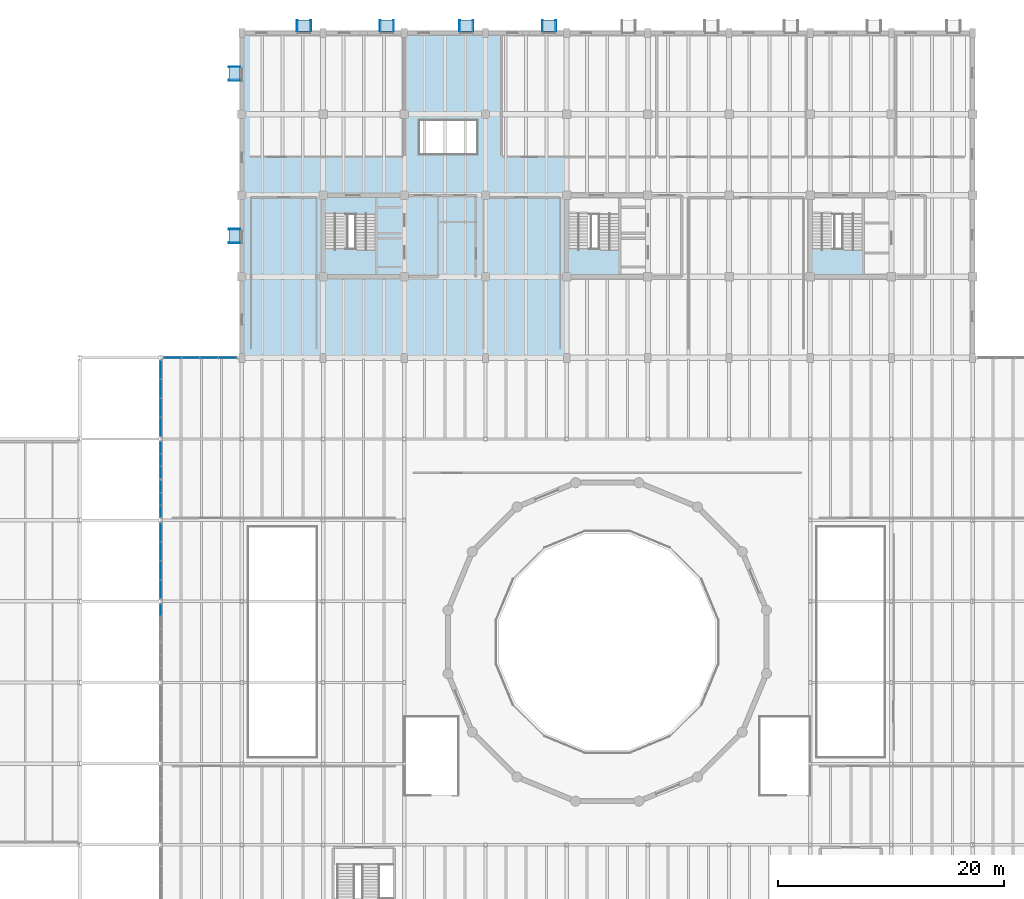
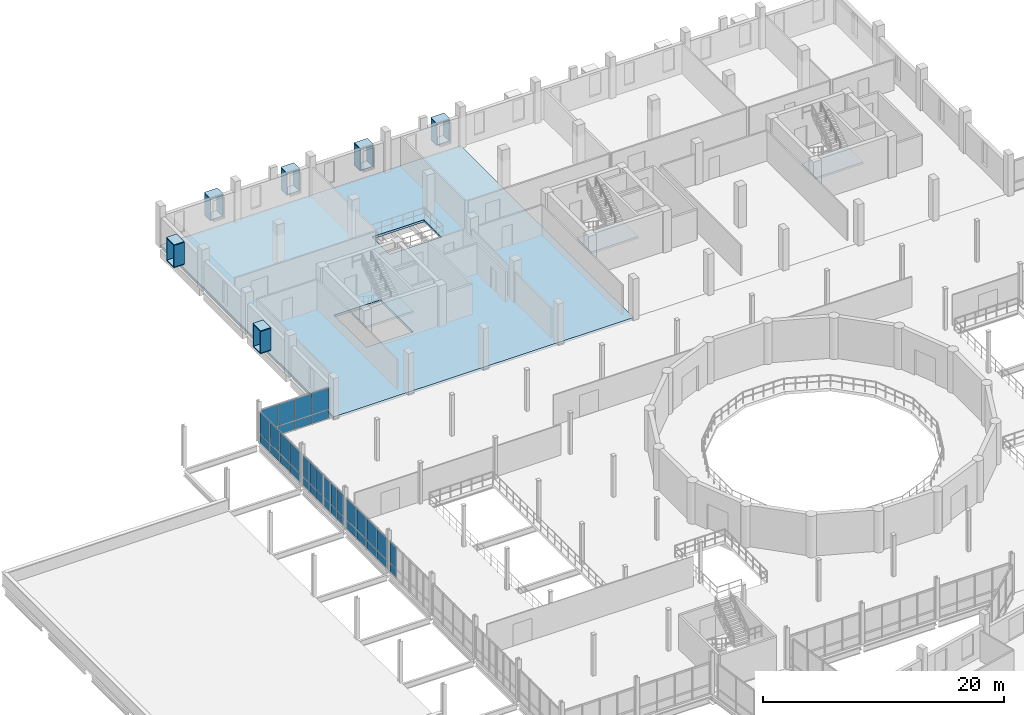
# One storey, part 48 of 72: 62 plates, 4 slabs, 9 elements without a shape of their own.
"""IFC4 building model written with IfcOpenShell, lengths in metres."""

from ifc_helpers import new_model, si_unit, direction, frame, frame_2d, origin, origin_2d, place, context, subcontext, project, spatial, polyline, rectangle, outline, extrude, material, layer, layer_set, type_object, element, aggregate, save


model = new_model("IFC4")

# Units and contexts
model_context = context("Model", 3, precision=1e-05, world=origin(), true_north=direction((0.0, 1.0)))
body_context = subcontext(model_context, "Body", "Model", "MODEL_VIEW")
ifc_project = project(units=[si_unit("LENGTHUNIT", "METRE"), si_unit("AREAUNIT", "SQUARE_METRE"), si_unit("VOLUMEUNIT", "CUBIC_METRE"), si_unit("PLANEANGLEUNIT", "RADIAN"), si_unit("MASSUNIT", "GRAM", prefix="KILO")], contexts=[model_context])

# Site, building, storey
site_placement = place(None, origin())
site = spatial("IfcSite", under=ifc_project, at=site_placement, CompositionType="ELEMENT")
building_placement = place(site_placement, origin())
building = spatial("IfcBuilding", under=site, at=building_placement, Name="Qiaolan Assembly House", CompositionType="ELEMENT")
storey_placement = place(building_placement, frame((0.0, 0.0, 10.199951171875)))
storey = spatial("IfcBuildingStorey", under=building, at=storey_placement, Name="L02", CompositionType="ELEMENT", Elevation=10.199951171875)

# Curtain wall, plates
ifc_material_1 = material(Name="Anodised bronze aluminium", Category="aluminium")
curtain_wall_type = type_object("IfcCurtainWallType", Name="CW-HALL-UPPER-480", PredefinedType="NOTDEFINED", material=ifc_material_1)
curtain_wall_1_placement = place(storey_placement, origin())
curtain_wall_1 = element("IfcCurtainWall", 1, at=curtain_wall_1_placement, inside=storey, type_object=curtain_wall_type, Name="CW-01 Hall West facade L02-3B", PredefinedType="NOTDEFINED")
ifc_material_2 = material(Name="Low-E double insulating glass", Category="glass")
ifc_layer_1 = layer(ifc_material_2, 0.031982421875)
ifc_layer_set_1 = layer_set([ifc_layer_1], Name="Low-E double insulating glass")
plate_type_1 = type_object("IfcPlateType", Name="CW-HALL-UPPER-480-PNL", PredefinedType="CURTAIN_PANEL", material=ifc_layer_set_1)
plate_1_placement = place(storey_placement, frame((28.800048828125, 63.514892578125, 0.06005859375), z_axis=(0.0, 0.0, 1.0), x_axis=(0.0, 1.0, 0.0)))
plate_1 = element("IfcPlate", 2, at=plate_1_placement, type_object=plate_type_1, Name="GL-02 glazing panel CW-HALL-W-L02-3B-5", PredefinedType="CURTAIN_PANEL", context=body_context, shape_type="SweptSolid", body=[
    extrude(rectangle(XDim=1.030029296875, YDim=0.031982421875, at=frame_2d((0.51513671875, 0.0))), origin(), (0.0, 0.0, 1.0), 0.860107421875),
])
plate_2_placement = place(storey_placement, frame((28.800048828125, 63.514892578125, 0.97998046875), z_axis=(0.0, 0.0, 1.0), x_axis=(0.0, 1.0, 0.0)))
plate_2 = element("IfcPlate", 3, at=plate_2_placement, type_object=plate_type_1, Name="GL-02 glazing panel CW-HALL-W-L02-3B-6", PredefinedType="CURTAIN_PANEL", context=body_context, shape_type="SweptSolid", body=[
    extrude(rectangle(XDim=1.030029296875, YDim=0.031982421875, at=frame_2d((0.51513671875, 0.0))), origin(), (0.0, 0.0, 1.0), 2.16015625),
])
aggregate(curtain_wall_1, [plate_1, plate_2])

curtain_wall_2_placement = place(storey_placement, origin())
curtain_wall_2 = element("IfcCurtainWall", 4, at=curtain_wall_2_placement, inside=storey, type_object=curtain_wall_type, Name="CW-01 Hall West facade L02-4", PredefinedType="NOTDEFINED")
plate_3_placement = place(storey_placement, frame((28.800048828125, 65.054931640625, 0.06005859375), z_axis=(0.0, 0.0, 1.0), x_axis=(0.0, 1.0, 0.0)))
plate_3 = element("IfcPlate", 5, at=plate_3_placement, type_object=plate_type_1, Name="GL-02 glazing panel CW-HALL-W-L02-4-1", PredefinedType="CURTAIN_PANEL", context=body_context, shape_type="SweptSolid", body=[
    extrude(rectangle(XDim=1.6201171875, YDim=0.031982421875, at=frame_2d((0.81005859375, 0.0))), origin(), (0.0, 0.0, 1.0), 0.860107421875),
])
plate_4_placement = place(storey_placement, frame((28.800048828125, 65.054931640625, 0.97998046875), z_axis=(0.0, 0.0, 1.0), x_axis=(0.0, 1.0, 0.0)))
plate_4 = element("IfcPlate", 6, at=plate_4_placement, type_object=plate_type_1, Name="GL-02 glazing panel CW-HALL-W-L02-4-2", PredefinedType="CURTAIN_PANEL", context=body_context, shape_type="SweptSolid", body=[
    extrude(rectangle(XDim=1.6201171875, YDim=0.031982421875, at=frame_2d((0.81005859375, 0.0))), origin(), (0.0, 0.0, 1.0), 2.16015625),
])
plate_5_placement = place(storey_placement, frame((28.800048828125, 66.7451171875, 0.06005859375), z_axis=(0.0, 0.0, 1.0), x_axis=(0.0, 1.0, 0.0)))
plate_5 = element("IfcPlate", 7, at=plate_5_placement, type_object=plate_type_1, Name="GL-02 glazing panel CW-HALL-W-L02-4-3", PredefinedType="CURTAIN_PANEL", context=body_context, shape_type="SweptSolid", body=[
    extrude(rectangle(XDim=1.619873046875, YDim=0.031982421875, at=frame_2d((0.81005859375, 0.0))), origin(), (0.0, 0.0, 1.0), 0.860107421875),
])
plate_6_placement = place(storey_placement, frame((28.800048828125, 66.7451171875, 0.97998046875), z_axis=(0.0, 0.0, 1.0), x_axis=(0.0, 1.0, 0.0)))
plate_6 = element("IfcPlate", 8, at=plate_6_placement, type_object=plate_type_1, Name="GL-02 glazing panel CW-HALL-W-L02-4-4", PredefinedType="CURTAIN_PANEL", context=body_context, shape_type="SweptSolid", body=[
    extrude(rectangle(XDim=1.619873046875, YDim=0.031982421875, at=frame_2d((0.81005859375, 0.0))), origin(), (0.0, 0.0, 1.0), 2.16015625),
])
plate_7_placement = place(storey_placement, frame((28.800048828125, 68.43505859375, 0.06005859375), z_axis=(0.0, 0.0, 1.0), x_axis=(0.0, 1.0, 0.0)))
plate_7 = element("IfcPlate", 9, at=plate_7_placement, type_object=plate_type_1, Name="GL-02 glazing panel CW-HALL-W-L02-4-5", PredefinedType="CURTAIN_PANEL", context=body_context, shape_type="SweptSolid", body=[
    extrude(rectangle(XDim=1.619873046875, YDim=0.031982421875, at=frame_2d((0.81005859375, 0.0))), origin(), (0.0, 0.0, 1.0), 0.860107421875),
])
plate_8_placement = place(storey_placement, frame((28.800048828125, 68.43505859375, 0.97998046875), z_axis=(0.0, 0.0, 1.0), x_axis=(0.0, 1.0, 0.0)))
plate_8 = element("IfcPlate", 10, at=plate_8_placement, type_object=plate_type_1, Name="GL-02 glazing panel CW-HALL-W-L02-4-6", PredefinedType="CURTAIN_PANEL", context=body_context, shape_type="SweptSolid", body=[
    extrude(rectangle(XDim=1.619873046875, YDim=0.031982421875, at=frame_2d((0.81005859375, 0.0))), origin(), (0.0, 0.0, 1.0), 2.16015625),
])
plate_9_placement = place(storey_placement, frame((28.800048828125, 70.125, 0.06005859375), z_axis=(0.0, 0.0, 1.0), x_axis=(0.0, 1.0, 0.0)))
plate_9 = element("IfcPlate", 11, at=plate_9_placement, type_object=plate_type_1, Name="GL-02 glazing panel CW-HALL-W-L02-4-7", PredefinedType="CURTAIN_PANEL", context=body_context, shape_type="SweptSolid", body=[
    extrude(rectangle(XDim=1.6201171875, YDim=0.031982421875, at=frame_2d((0.81005859375, 0.0))), origin(), (0.0, 0.0, 1.0), 0.860107421875),
])
plate_10_placement = place(storey_placement, frame((28.800048828125, 70.125, 0.97998046875), z_axis=(0.0, 0.0, 1.0), x_axis=(0.0, 1.0, 0.0)))
plate_10 = element("IfcPlate", 12, at=plate_10_placement, type_object=plate_type_1, Name="GL-02 glazing panel CW-HALL-W-L02-4-8", PredefinedType="CURTAIN_PANEL", context=body_context, shape_type="SweptSolid", body=[
    extrude(rectangle(XDim=1.6201171875, YDim=0.031982421875, at=frame_2d((0.81005859375, 0.0))), origin(), (0.0, 0.0, 1.0), 2.16015625),
])
aggregate(curtain_wall_2, [plate_3, plate_4, plate_5, plate_6, plate_7, plate_8, plate_9, plate_10])

curtain_wall_3_placement = place(storey_placement, origin())
curtain_wall_3 = element("IfcCurtainWall", 13, at=curtain_wall_3_placement, inside=storey, type_object=curtain_wall_type, Name="CW-01 Hall West facade L02-5A", PredefinedType="NOTDEFINED")
plate_11_placement = place(storey_placement, frame((28.800048828125, 72.2548828125, 0.06005859375), z_axis=(0.0, 0.0, 1.0), x_axis=(0.0, 1.0, 0.0)))
plate_11 = element("IfcPlate", 14, at=plate_11_placement, type_object=plate_type_1, Name="GL-02 glazing panel CW-HALL-W-L02-5A-1", PredefinedType="CURTAIN_PANEL", context=body_context, shape_type="SweptSolid", body=[
    extrude(rectangle(XDim=1.030029296875, YDim=0.031982421875, at=frame_2d((0.51513671875, 0.0))), origin(), (0.0, 0.0, 1.0), 0.860107421875),
])
plate_12_placement = place(storey_placement, frame((28.800048828125, 72.2548828125, 0.97998046875), z_axis=(0.0, 0.0, 1.0), x_axis=(0.0, 1.0, 0.0)))
plate_12 = element("IfcPlate", 15, at=plate_12_placement, type_object=plate_type_1, Name="GL-02 glazing panel CW-HALL-W-L02-5A-2", PredefinedType="CURTAIN_PANEL", context=body_context, shape_type="SweptSolid", body=[
    extrude(rectangle(XDim=1.030029296875, YDim=0.031982421875, at=frame_2d((0.51513671875, 0.0))), origin(), (0.0, 0.0, 1.0), 2.16015625),
])
plate_13_placement = place(storey_placement, frame((28.800048828125, 73.35498046875, 0.06005859375), z_axis=(0.0, 0.0, 1.0), x_axis=(0.0, 1.0, 0.0)))
plate_13 = element("IfcPlate", 16, at=plate_13_placement, type_object=plate_type_1, Name="GL-02 glazing panel CW-HALL-W-L02-5A-3", PredefinedType="CURTAIN_PANEL", context=body_context, shape_type="SweptSolid", body=[
    extrude(rectangle(XDim=1.030029296875, YDim=0.031982421875, at=frame_2d((0.51513671875, 0.0))), origin(), (0.0, 0.0, 1.0), 0.860107421875),
])
plate_14_placement = place(storey_placement, frame((28.800048828125, 73.35498046875, 0.97998046875), z_axis=(0.0, 0.0, 1.0), x_axis=(0.0, 1.0, 0.0)))
plate_14 = element("IfcPlate", 17, at=plate_14_placement, type_object=plate_type_1, Name="GL-02 glazing panel CW-HALL-W-L02-5A-4", PredefinedType="CURTAIN_PANEL", context=body_context, shape_type="SweptSolid", body=[
    extrude(rectangle(XDim=1.030029296875, YDim=0.031982421875, at=frame_2d((0.51513671875, 0.0))), origin(), (0.0, 0.0, 1.0), 2.16015625),
])
plate_15_placement = place(storey_placement, frame((28.800048828125, 74.455078125, 0.06005859375), z_axis=(0.0, 0.0, 1.0), x_axis=(0.0, 1.0, 0.0)))
plate_15 = element("IfcPlate", 18, at=plate_15_placement, type_object=plate_type_1, Name="GL-02 glazing panel CW-HALL-W-L02-5A-5", PredefinedType="CURTAIN_PANEL", context=body_context, shape_type="SweptSolid", body=[
    extrude(rectangle(XDim=1.030029296875, YDim=0.031982421875, at=frame_2d((0.51513671875, 0.0))), origin(), (0.0, 0.0, 1.0), 0.860107421875),
])
plate_16_placement = place(storey_placement, frame((28.800048828125, 74.455078125, 0.97998046875), z_axis=(0.0, 0.0, 1.0), x_axis=(0.0, 1.0, 0.0)))
plate_16 = element("IfcPlate", 19, at=plate_16_placement, type_object=plate_type_1, Name="GL-02 glazing panel CW-HALL-W-L02-5A-6", PredefinedType="CURTAIN_PANEL", context=body_context, shape_type="SweptSolid", body=[
    extrude(rectangle(XDim=1.030029296875, YDim=0.031982421875, at=frame_2d((0.51513671875, 0.0))), origin(), (0.0, 0.0, 1.0), 2.16015625),
])
aggregate(curtain_wall_3, [plate_11, plate_12, plate_13, plate_14, plate_15, plate_16])

curtain_wall_4_placement = place(storey_placement, origin())
curtain_wall_4 = element("IfcCurtainWall", 20, at=curtain_wall_4_placement, inside=storey, type_object=curtain_wall_type, Name="CW-01 Hall West facade L02-5B", PredefinedType="NOTDEFINED")
plate_17_placement = place(storey_placement, frame((28.800048828125, 75.715087890625, 0.06005859375), z_axis=(0.0, 0.0, 1.0), x_axis=(0.0, 1.0, 0.0)))
plate_17 = element("IfcPlate", 21, at=plate_17_placement, type_object=plate_type_1, Name="GL-02 glazing panel CW-HALL-W-L02-5B-1", PredefinedType="CURTAIN_PANEL", context=body_context, shape_type="SweptSolid", body=[
    extrude(rectangle(XDim=1.030029296875, YDim=0.031982421875, at=frame_2d((0.51513671875, 0.0))), origin(), (0.0, 0.0, 1.0), 0.860107421875),
])
plate_18_placement = place(storey_placement, frame((28.800048828125, 75.715087890625, 0.97998046875), z_axis=(0.0, 0.0, 1.0), x_axis=(0.0, 1.0, 0.0)))
plate_18 = element("IfcPlate", 22, at=plate_18_placement, type_object=plate_type_1, Name="GL-02 glazing panel CW-HALL-W-L02-5B-2", PredefinedType="CURTAIN_PANEL", context=body_context, shape_type="SweptSolid", body=[
    extrude(rectangle(XDim=1.030029296875, YDim=0.031982421875, at=frame_2d((0.51513671875, 0.0))), origin(), (0.0, 0.0, 1.0), 2.16015625),
])
plate_19_placement = place(storey_placement, frame((28.800048828125, 76.81494140625, 0.06005859375), z_axis=(0.0, 0.0, 1.0), x_axis=(0.0, 1.0, 0.0)))
plate_19 = element("IfcPlate", 23, at=plate_19_placement, type_object=plate_type_1, Name="GL-02 glazing panel CW-HALL-W-L02-5B-3", PredefinedType="CURTAIN_PANEL", context=body_context, shape_type="SweptSolid", body=[
    extrude(rectangle(XDim=1.030029296875, YDim=0.031982421875, at=frame_2d((0.51513671875, 0.0))), origin(), (0.0, 0.0, 1.0), 0.860107421875),
])
plate_20_placement = place(storey_placement, frame((28.800048828125, 76.81494140625, 0.97998046875), z_axis=(0.0, 0.0, 1.0), x_axis=(0.0, 1.0, 0.0)))
plate_20 = element("IfcPlate", 24, at=plate_20_placement, type_object=plate_type_1, Name="GL-02 glazing panel CW-HALL-W-L02-5B-4", PredefinedType="CURTAIN_PANEL", context=body_context, shape_type="SweptSolid", body=[
    extrude(rectangle(XDim=1.030029296875, YDim=0.031982421875, at=frame_2d((0.51513671875, 0.0))), origin(), (0.0, 0.0, 1.0), 2.16015625),
])
plate_21_placement = place(storey_placement, frame((28.800048828125, 77.9150390625, 0.06005859375), z_axis=(0.0, 0.0, 1.0), x_axis=(0.0, 1.0, 0.0)))
plate_21 = element("IfcPlate", 25, at=plate_21_placement, type_object=plate_type_1, Name="GL-02 glazing panel CW-HALL-W-L02-5B-5", PredefinedType="CURTAIN_PANEL", context=body_context, shape_type="SweptSolid", body=[
    extrude(rectangle(XDim=1.030029296875, YDim=0.031982421875, at=frame_2d((0.51513671875, 0.0))), origin(), (0.0, 0.0, 1.0), 0.860107421875),
])
plate_22_placement = place(storey_placement, frame((28.800048828125, 77.9150390625, 0.97998046875), z_axis=(0.0, 0.0, 1.0), x_axis=(0.0, 1.0, 0.0)))
plate_22 = element("IfcPlate", 26, at=plate_22_placement, type_object=plate_type_1, Name="GL-02 glazing panel CW-HALL-W-L02-5B-6", PredefinedType="CURTAIN_PANEL", context=body_context, shape_type="SweptSolid", body=[
    extrude(rectangle(XDim=1.030029296875, YDim=0.031982421875, at=frame_2d((0.51513671875, 0.0))), origin(), (0.0, 0.0, 1.0), 2.16015625),
])
aggregate(curtain_wall_4, [plate_17, plate_18, plate_19, plate_20, plate_21, plate_22])

curtain_wall_5_placement = place(storey_placement, origin())
curtain_wall_5 = element("IfcCurtainWall", 27, at=curtain_wall_5_placement, inside=storey, type_object=curtain_wall_type, Name="CW-01 Hall West facade L02-6", PredefinedType="NOTDEFINED")
plate_23_placement = place(storey_placement, frame((28.800048828125, 79.455078125, 0.06005859375), z_axis=(0.0, 0.0, 1.0), x_axis=(0.0, 1.0, 0.0)))
plate_23 = element("IfcPlate", 28, at=plate_23_placement, type_object=plate_type_1, Name="GL-02 glazing panel CW-HALL-W-L02-6-1", PredefinedType="CURTAIN_PANEL", context=body_context, shape_type="SweptSolid", body=[
    extrude(rectangle(XDim=1.619873046875, YDim=0.031982421875, at=frame_2d((0.81005859375, 0.0))), origin(), (0.0, 0.0, 1.0), 0.860107421875),
])
plate_24_placement = place(storey_placement, frame((28.800048828125, 79.455078125, 0.97998046875), z_axis=(0.0, 0.0, 1.0), x_axis=(0.0, 1.0, 0.0)))
plate_24 = element("IfcPlate", 29, at=plate_24_placement, type_object=plate_type_1, Name="GL-02 glazing panel CW-HALL-W-L02-6-2", PredefinedType="CURTAIN_PANEL", context=body_context, shape_type="SweptSolid", body=[
    extrude(rectangle(XDim=1.619873046875, YDim=0.031982421875, at=frame_2d((0.81005859375, 0.0))), origin(), (0.0, 0.0, 1.0), 2.16015625),
])
plate_25_placement = place(storey_placement, frame((28.800048828125, 81.14501953125, 0.06005859375), z_axis=(0.0, 0.0, 1.0), x_axis=(0.0, 1.0, 0.0)))
plate_25 = element("IfcPlate", 30, at=plate_25_placement, type_object=plate_type_1, Name="GL-02 glazing panel CW-HALL-W-L02-6-3", PredefinedType="CURTAIN_PANEL", context=body_context, shape_type="SweptSolid", body=[
    extrude(rectangle(XDim=1.619873046875, YDim=0.031982421875, at=frame_2d((0.81005859375, 0.0))), origin(), (0.0, 0.0, 1.0), 0.860107421875),
])
plate_26_placement = place(storey_placement, frame((28.800048828125, 81.14501953125, 0.97998046875), z_axis=(0.0, 0.0, 1.0), x_axis=(0.0, 1.0, 0.0)))
plate_26 = element("IfcPlate", 31, at=plate_26_placement, type_object=plate_type_1, Name="GL-02 glazing panel CW-HALL-W-L02-6-4", PredefinedType="CURTAIN_PANEL", context=body_context, shape_type="SweptSolid", body=[
    extrude(rectangle(XDim=1.619873046875, YDim=0.031982421875, at=frame_2d((0.81005859375, 0.0))), origin(), (0.0, 0.0, 1.0), 2.16015625),
])
plate_27_placement = place(storey_placement, frame((28.800048828125, 82.8349609375, 0.06005859375), z_axis=(0.0, 0.0, 1.0), x_axis=(0.0, 1.0, 0.0)))
plate_27 = element("IfcPlate", 32, at=plate_27_placement, type_object=plate_type_1, Name="GL-02 glazing panel CW-HALL-W-L02-6-5", PredefinedType="CURTAIN_PANEL", context=body_context, shape_type="SweptSolid", body=[
    extrude(rectangle(XDim=1.6201171875, YDim=0.031982421875, at=frame_2d((0.81005859375, 0.0))), origin(), (0.0, 0.0, 1.0), 0.860107421875),
])
plate_28_placement = place(storey_placement, frame((28.800048828125, 82.8349609375, 0.97998046875), z_axis=(0.0, 0.0, 1.0), x_axis=(0.0, 1.0, 0.0)))
plate_28 = element("IfcPlate", 33, at=plate_28_placement, type_object=plate_type_1, Name="GL-02 glazing panel CW-HALL-W-L02-6-6", PredefinedType="CURTAIN_PANEL", context=body_context, shape_type="SweptSolid", body=[
    extrude(rectangle(XDim=1.6201171875, YDim=0.031982421875, at=frame_2d((0.81005859375, 0.0))), origin(), (0.0, 0.0, 1.0), 2.16015625),
])
plate_29_placement = place(storey_placement, frame((28.800048828125, 84.52490234375, 0.06005859375), z_axis=(0.0, 0.0, 1.0), x_axis=(0.0, 1.0, 0.0)))
plate_29 = element("IfcPlate", 34, at=plate_29_placement, type_object=plate_type_1, Name="GL-02 glazing panel CW-HALL-W-L02-6-7", PredefinedType="CURTAIN_PANEL", context=body_context, shape_type="SweptSolid", body=[
    extrude(rectangle(XDim=1.6201171875, YDim=0.031982421875, at=frame_2d((0.81005859375, 0.0))), origin(), (0.0, 0.0, 1.0), 0.860107421875),
])
plate_30_placement = place(storey_placement, frame((28.800048828125, 84.52490234375, 0.97998046875), z_axis=(0.0, 0.0, 1.0), x_axis=(0.0, 1.0, 0.0)))
plate_30 = element("IfcPlate", 35, at=plate_30_placement, type_object=plate_type_1, Name="GL-02 glazing panel CW-HALL-W-L02-6-8", PredefinedType="CURTAIN_PANEL", context=body_context, shape_type="SweptSolid", body=[
    extrude(rectangle(XDim=1.6201171875, YDim=0.031982421875, at=frame_2d((0.81005859375, 0.0))), origin(), (0.0, 0.0, 1.0), 2.16015625),
])
aggregate(curtain_wall_5, [plate_23, plate_24, plate_25, plate_26, plate_27, plate_28, plate_29, plate_30])

curtain_wall_6_placement = place(storey_placement, origin())
curtain_wall_6 = element("IfcCurtainWall", 36, at=curtain_wall_6_placement, inside=storey, type_object=curtain_wall_type, Name="CW-02 Hall North-West link CW L02", PredefinedType="NOTDEFINED")
plate_31_placement = place(storey_placement, frame((35.485107421875, 86.39990234375, 0.06005859375), z_axis=(0.0, 0.0, 1.0), x_axis=(-1.0, 0.0, 0.0)))
plate_31 = element("IfcPlate", 37, at=plate_31_placement, type_object=plate_type_1, Name="GL-02 glazing panel CW-HALL-NWJ-L02-1", PredefinedType="CURTAIN_PANEL", context=body_context, shape_type="SweptSolid", body=[
    extrude(rectangle(XDim=1.55517578125, YDim=0.031982421875, at=frame_2d((0.777587890625, 0.0))), origin(), (0.0, 0.0, 1.0), 0.860107421875),
])
plate_32_placement = place(storey_placement, frame((35.485107421875, 86.39990234375, 0.97998046875), z_axis=(0.0, 0.0, 1.0), x_axis=(-1.0, 0.0, 0.0)))
plate_32 = element("IfcPlate", 38, at=plate_32_placement, type_object=plate_type_1, Name="GL-02 glazing panel CW-HALL-NWJ-L02-2", PredefinedType="CURTAIN_PANEL", context=body_context, shape_type="SweptSolid", body=[
    extrude(rectangle(XDim=1.55517578125, YDim=0.031982421875, at=frame_2d((0.777587890625, 0.0))), origin(), (0.0, 0.0, 1.0), 2.16015625),
])
plate_33_placement = place(storey_placement, frame((33.860107421875, 86.39990234375, 0.06005859375), z_axis=(0.0, 0.0, 1.0), x_axis=(-1.0, 0.0, 0.0)))
plate_33 = element("IfcPlate", 39, at=plate_33_placement, type_object=plate_type_1, Name="GL-02 glazing panel CW-HALL-NWJ-L02-3", PredefinedType="CURTAIN_PANEL", context=body_context, shape_type="SweptSolid", body=[
    extrude(rectangle(XDim=1.55517578125, YDim=0.031982421875, at=frame_2d((0.777587890625, 0.0))), origin(), (0.0, 0.0, 1.0), 0.860107421875),
])
plate_34_placement = place(storey_placement, frame((33.860107421875, 86.39990234375, 0.97998046875), z_axis=(0.0, 0.0, 1.0), x_axis=(-1.0, 0.0, 0.0)))
plate_34 = element("IfcPlate", 40, at=plate_34_placement, type_object=plate_type_1, Name="GL-02 glazing panel CW-HALL-NWJ-L02-4", PredefinedType="CURTAIN_PANEL", context=body_context, shape_type="SweptSolid", body=[
    extrude(rectangle(XDim=1.55517578125, YDim=0.031982421875, at=frame_2d((0.777587890625, 0.0))), origin(), (0.0, 0.0, 1.0), 2.16015625),
])
plate_35_placement = place(storey_placement, frame((32.235107421875, 86.39990234375, 0.06005859375), z_axis=(0.0, 0.0, 1.0), x_axis=(-1.0, 0.0, 0.0)))
plate_35 = element("IfcPlate", 41, at=plate_35_placement, type_object=plate_type_1, Name="GL-02 glazing panel CW-HALL-NWJ-L02-5", PredefinedType="CURTAIN_PANEL", context=body_context, shape_type="SweptSolid", body=[
    extrude(rectangle(XDim=1.55517578125, YDim=0.031982421875, at=frame_2d((0.777587890625, 0.0))), origin(), (0.0, 0.0, 1.0), 0.860107421875),
])
plate_36_placement = place(storey_placement, frame((32.235107421875, 86.39990234375, 0.97998046875), z_axis=(0.0, 0.0, 1.0), x_axis=(-1.0, 0.0, 0.0)))
plate_36 = element("IfcPlate", 42, at=plate_36_placement, type_object=plate_type_1, Name="GL-02 glazing panel CW-HALL-NWJ-L02-6", PredefinedType="CURTAIN_PANEL", context=body_context, shape_type="SweptSolid", body=[
    extrude(rectangle(XDim=1.55517578125, YDim=0.031982421875, at=frame_2d((0.777587890625, 0.0))), origin(), (0.0, 0.0, 1.0), 2.16015625),
])
plate_37_placement = place(storey_placement, frame((30.610107421875, 86.39990234375, 0.06005859375), z_axis=(0.0, 0.0, 1.0), x_axis=(-1.0, 0.0, 0.0)))
plate_37 = element("IfcPlate", 43, at=plate_37_placement, type_object=plate_type_1, Name="GL-02 glazing panel CW-HALL-NWJ-L02-7", PredefinedType="CURTAIN_PANEL", context=body_context, shape_type="SweptSolid", body=[
    extrude(rectangle(XDim=1.55517578125, YDim=0.031982421875, at=frame_2d((0.777587890625, 0.0))), origin(), (0.0, 0.0, 1.0), 0.860107421875),
])
plate_38_placement = place(storey_placement, frame((30.610107421875, 86.39990234375, 0.97998046875), z_axis=(0.0, 0.0, 1.0), x_axis=(-1.0, 0.0, 0.0)))
plate_38 = element("IfcPlate", 44, at=plate_38_placement, type_object=plate_type_1, Name="GL-02 glazing panel CW-HALL-NWJ-L02-8", PredefinedType="CURTAIN_PANEL", context=body_context, shape_type="SweptSolid", body=[
    extrude(rectangle(XDim=1.55517578125, YDim=0.031982421875, at=frame_2d((0.777587890625, 0.0))), origin(), (0.0, 0.0, 1.0), 2.16015625),
])
aggregate(curtain_wall_6, [plate_31, plate_32, plate_33, plate_34, plate_35, plate_36, plate_37, plate_38])

# Plates
ifc_material_3 = material(Name="Honed pale limestone", Category="masonry")
ifc_layer_2 = layer(ifc_material_3, 0.0849609375)
ifc_layer_set_2 = layer_set([ifc_layer_2], Name="Honed pale limestone")
plate_type_2 = type_object("IfcPlateType", Name="PLT-WINBOX-CHEEK", PredefinedType="SHEET", material=ifc_layer_set_2)
for number, where, z_axis, x_axis, name in (
    (45, (40.907470703125, 115.860107421875, 0.7001953125), (0.0, 0.0, 1.0), (1.0, 0.0, 0.0), "WB-02 projecting window-box left cheek NWN-L02-00-0"),
    (46, (42.092529296875, 115.860107421875, 0.7001953125), (0.0, 0.0, 1.0), (1.0, 0.0, 0.0), "WB-02 projecting window-box right cheek NWN-L02-00-0"),
    (47, (48.257568359375, 115.860107421875, 0.7001953125), (0.0, 0.0, 1.0), (1.0, 0.0, 0.0), "WB-02 projecting window-box left cheek NWN-L02-01-0"),
    (48, (49.4423828125, 115.860107421875, 0.7001953125), (0.0, 0.0, 1.0), (1.0, 0.0, 0.0), "WB-02 projecting window-box right cheek NWN-L02-01-0"),
    (49, (55.3076171875, 115.860107421875, 0.7001953125), (0.0, 0.0, 1.0), (1.0, 0.0, 0.0), "WB-02 projecting window-box left cheek NWN-L02-02-0"),
    (50, (56.492431640625, 115.860107421875, 0.7001953125), (0.0, 0.0, 1.0), (1.0, 0.0, 0.0), "WB-02 projecting window-box right cheek NWN-L02-02-0"),
    (51, (62.657470703125, 115.860107421875, 0.7001953125), (0.0, 0.0, 1.0), (1.0, 0.0, 0.0), "WB-02 projecting window-box left cheek NWN-L02-03-0"),
    (52, (63.842529296875, 115.860107421875, 0.7001953125), (0.0, 0.0, 1.0), (1.0, 0.0, 0.0), "WB-02 projecting window-box right cheek NWN-L02-03-0"),
):
    element("IfcPlate", number, at=place(storey_placement, frame(where, z_axis=z_axis, x_axis=x_axis)), inside=storey, type_object=plate_type_2, Name=name, PredefinedType="SHEET", context=body_context, shape_type="SweptSolid", body=[
        extrude(rectangle(XDim=0.0849609375, YDim=1.0, at=origin_2d()), origin(), (0.0, 0.0, 1.0), 2.139892578125),
    ])
for number, where, z_axis, x_axis, name in (
    (53, (35.340087890625, 96.607421875, 0.7001953125), (0.0, 0.0, 1.0), (1.0, 0.0, 0.0), "WB-02 projecting window-box left cheek NWW-L02-01"),
    (54, (35.340087890625, 97.79248046875, 0.7001953125), (0.0, 0.0, 1.0), (1.0, 0.0, 0.0), "WB-02 projecting window-box right cheek NWW-L02-01"),
    (55, (35.340087890625, 111.007568359375, 0.7001953125), (0.0, 0.0, 1.0), (1.0, 0.0, 0.0), "WB-02 projecting window-box left cheek NWW-L02-03"),
    (56, (35.340087890625, 112.1923828125, 0.7001953125), (0.0, 0.0, 1.0), (1.0, 0.0, 0.0), "WB-02 projecting window-box right cheek NWW-L02-03"),
):
    element("IfcPlate", number, at=place(storey_placement, frame(where, z_axis=z_axis, x_axis=x_axis)), inside=storey, type_object=plate_type_2, Name=name, PredefinedType="SHEET", context=body_context, shape_type="SweptSolid", body=[
        extrude(rectangle(XDim=1.0, YDim=0.0849609375, at=origin_2d()), origin(), (0.0, 0.0, 1.0), 2.18994140625),
    ])
ifc_layer_3 = layer(ifc_material_3, 0.080078125)
ifc_layer_set_3 = layer_set([ifc_layer_3], Name="Honed pale limestone")
plate_type_3 = type_object("IfcPlateType", Name="PLT-WINBOX-SURROUND", PredefinedType="SHEET", material=ifc_layer_set_3)
plate_39_placement = place(storey_placement, frame((0.0, 0.0, 0.6201171875)))
element("IfcPlate", 57, at=plate_39_placement, inside=storey, type_object=plate_type_3, Name="WB-01 projecting limestone window-box sill NWN-L02-00-0", PredefinedType="SHEET", context=body_context, shape_type="SweptSolid", body=[
    extrude(outline(polyline([(40.864990234375, 115.360107421875), (40.864990234375, 116.360107421875), (42.135009765625, 116.360107421875), (42.135009765625, 115.360107421875), (40.864990234375, 115.360107421875)])), origin(), (0.0, 0.0, 1.0), 0.079833984375),
])
plate_40_placement = place(storey_placement, frame((0.0, 0.0, 2.840087890625)))
element("IfcPlate", 58, at=plate_40_placement, inside=storey, type_object=plate_type_3, Name="WB-01 projecting limestone window-box hood NWN-L02-00-0", PredefinedType="SHEET", context=body_context, shape_type="SweptSolid", body=[
    extrude(outline(polyline([(40.864990234375, 115.360107421875), (40.864990234375, 116.360107421875), (42.135009765625, 116.360107421875), (42.135009765625, 115.360107421875), (40.864990234375, 115.360107421875)])), origin(), (0.0, 0.0, 1.0), 0.080078125),
])
plate_41_placement = place(storey_placement, frame((0.0, 0.0, 0.6201171875)))
element("IfcPlate", 59, at=plate_41_placement, inside=storey, type_object=plate_type_3, Name="WB-01 projecting limestone window-box sill NWN-L02-01-0", PredefinedType="SHEET", context=body_context, shape_type="SweptSolid", body=[
    extrude(outline(polyline([(48.215087890625, 115.360107421875), (48.215087890625, 116.360107421875), (49.485107421875, 116.360107421875), (49.485107421875, 115.360107421875), (48.215087890625, 115.360107421875)])), origin(), (0.0, 0.0, 1.0), 0.079833984375),
])
plate_42_placement = place(storey_placement, frame((0.0, 0.0, 2.840087890625)))
element("IfcPlate", 60, at=plate_42_placement, inside=storey, type_object=plate_type_3, Name="WB-01 projecting limestone window-box hood NWN-L02-01-0", PredefinedType="SHEET", context=body_context, shape_type="SweptSolid", body=[
    extrude(outline(polyline([(48.215087890625, 115.360107421875), (48.215087890625, 116.360107421875), (49.485107421875, 116.360107421875), (49.485107421875, 115.360107421875), (48.215087890625, 115.360107421875)])), origin(), (0.0, 0.0, 1.0), 0.080078125),
])
plate_43_placement = place(storey_placement, frame((0.0, 0.0, 0.6201171875)))
element("IfcPlate", 61, at=plate_43_placement, inside=storey, type_object=plate_type_3, Name="WB-01 projecting limestone window-box sill NWN-L02-02-0", PredefinedType="SHEET", context=body_context, shape_type="SweptSolid", body=[
    extrude(outline(polyline([(55.264892578125, 115.360107421875), (55.264892578125, 116.360107421875), (56.534912109375, 116.360107421875), (56.534912109375, 115.360107421875), (55.264892578125, 115.360107421875)])), origin(), (0.0, 0.0, 1.0), 0.079833984375),
])
plate_44_placement = place(storey_placement, frame((0.0, 0.0, 2.840087890625)))
element("IfcPlate", 62, at=plate_44_placement, inside=storey, type_object=plate_type_3, Name="WB-01 projecting limestone window-box hood NWN-L02-02-0", PredefinedType="SHEET", context=body_context, shape_type="SweptSolid", body=[
    extrude(outline(polyline([(55.264892578125, 115.360107421875), (55.264892578125, 116.360107421875), (56.534912109375, 116.360107421875), (56.534912109375, 115.360107421875), (55.264892578125, 115.360107421875)])), origin(), (0.0, 0.0, 1.0), 0.080078125),
])
plate_45_placement = place(storey_placement, frame((0.0, 0.0, 0.6201171875)))
element("IfcPlate", 63, at=plate_45_placement, inside=storey, type_object=plate_type_3, Name="WB-01 projecting limestone window-box sill NWN-L02-03-0", PredefinedType="SHEET", context=body_context, shape_type="SweptSolid", body=[
    extrude(outline(polyline([(62.614990234375, 115.360107421875), (62.614990234375, 116.360107421875), (63.885009765625, 116.360107421875), (63.885009765625, 115.360107421875), (62.614990234375, 115.360107421875)])), origin(), (0.0, 0.0, 1.0), 0.079833984375),
])
plate_46_placement = place(storey_placement, frame((0.0, 0.0, 2.840087890625)))
element("IfcPlate", 64, at=plate_46_placement, inside=storey, type_object=plate_type_3, Name="WB-01 projecting limestone window-box hood NWN-L02-03-0", PredefinedType="SHEET", context=body_context, shape_type="SweptSolid", body=[
    extrude(outline(polyline([(62.614990234375, 115.360107421875), (62.614990234375, 116.360107421875), (63.885009765625, 116.360107421875), (63.885009765625, 115.360107421875), (62.614990234375, 115.360107421875)])), origin(), (0.0, 0.0, 1.0), 0.080078125),
])
for number, where, name in (
    (65, (0.0, 0.0, 0.6201171875), "WB-01 projecting limestone window-box sill NWW-L02-01"),
    (66, (0.0, 0.0, 2.89013671875), "WB-01 projecting limestone window-box hood NWW-L02-01"),
):
    element("IfcPlate", number, at=place(storey_placement, frame(where)), inside=storey, type_object=plate_type_3, Name=name, PredefinedType="SHEET", context=body_context, shape_type="SweptSolid", body=[
        extrude(outline(polyline([(34.840087890625, 96.56494140625), (34.840087890625, 97.8349609375), (35.840087890625, 97.8349609375), (35.840087890625, 96.56494140625), (34.840087890625, 96.56494140625)])), origin(), (0.0, 0.0, 1.0), 0.079833984375),
    ])
for number, where, name in (
    (67, (0.0, 0.0, 0.6201171875), "WB-01 projecting limestone window-box sill NWW-L02-03"),
    (68, (0.0, 0.0, 2.89013671875), "WB-01 projecting limestone window-box hood NWW-L02-03"),
):
    element("IfcPlate", number, at=place(storey_placement, frame(where)), inside=storey, type_object=plate_type_3, Name=name, PredefinedType="SHEET", context=body_context, shape_type="SweptSolid", body=[
        extrude(outline(polyline([(34.840087890625, 110.965087890625), (34.840087890625, 112.235107421875), (35.840087890625, 112.235107421875), (35.840087890625, 110.965087890625), (34.840087890625, 110.965087890625)])), origin(), (0.0, 0.0, 1.0), 0.079833984375),
    ])

# Stair, slab
ifc_material_4 = material(Name="Concrete C40/50", Category="concrete")
stair_type = type_object("IfcStairType", Name="STR-STD-420", PredefinedType="HALF_TURN_STAIR", material=ifc_material_4)
stair_1_placement = place(storey_placement, origin())
stair_1 = element("IfcStair", 69, at=stair_1_placement, inside=storey, type_object=stair_type, Name="ST-05 enclosed egress stair CORE-A L02", PredefinedType="HALF_TURN_STAIR")
ifc_layer_4 = layer(ifc_material_4, 0.199951171875)
ifc_layer_set_4 = layer_set([ifc_layer_4], Name="Concrete C40/50")
slab_type_1 = type_object("IfcSlabType", Name="SLB-LANDING-200", PredefinedType="LANDING", material=ifc_layer_set_4)
slab_1_placement = place(storey_placement, frame((0.0, 0.0, 1.900146484375)))
slab_1 = element("IfcSlab", 70, at=slab_1_placement, type_object=slab_type_1, Name="Stair landing LND-CORE-A-L02-HL", PredefinedType="LANDING", context=body_context, shape_type="SweptSolid", body=[
    extrude(outline(polyline([(43.3798828125, 93.780029296875), (43.3798828125, 96.169921875), (47.919921875, 96.169921875), (47.919921875, 93.780029296875), (43.3798828125, 93.780029296875)])), origin(), (0.0, 0.0, 1.0), 0.199951171875),
])
aggregate(stair_1, [slab_1])

stair_2_placement = place(storey_placement, origin())
stair_2 = element("IfcStair", 71, at=stair_2_placement, inside=storey, type_object=stair_type, Name="ST-05 enclosed egress stair CORE-B L02", PredefinedType="HALF_TURN_STAIR")
slab_2_placement = place(storey_placement, frame((0.0, 0.0, 1.900146484375)))
slab_2 = element("IfcSlab", 72, at=slab_2_placement, type_object=slab_type_1, Name="Stair landing LND-CORE-B-L02-HL", PredefinedType="LANDING", context=body_context, shape_type="SweptSolid", body=[
    extrude(outline(polyline([(64.97998046875, 93.780029296875), (64.97998046875, 96.169921875), (69.52001953125, 96.169921875), (69.52001953125, 93.780029296875), (64.97998046875, 93.780029296875)])), origin(), (0.0, 0.0, 1.0), 0.199951171875),
])
aggregate(stair_2, [slab_2])

stair_3_placement = place(storey_placement, origin())
stair_3 = element("IfcStair", 73, at=stair_3_placement, inside=storey, type_object=stair_type, Name="ST-05 enclosed egress stair CORE-G L02", PredefinedType="HALF_TURN_STAIR")
slab_3_placement = place(storey_placement, frame((0.0, 0.0, 1.900146484375)))
slab_3 = element("IfcSlab", 74, at=slab_3_placement, type_object=slab_type_1, Name="Stair landing LND-CORE-G-L02-HL", PredefinedType="LANDING", context=body_context, shape_type="SweptSolid", body=[
    extrude(outline(polyline([(86.580078125, 93.780029296875), (86.580078125, 96.169921875), (91.1201171875, 96.169921875), (91.1201171875, 93.780029296875), (86.580078125, 93.780029296875)])), origin(), (0.0, 0.0, 1.0), 0.199951171875),
])
aggregate(stair_3, [slab_3])

# Slab
ifc_layer_5 = layer(ifc_material_4, 0.22998046875)
ifc_layer_set_5 = layer_set([ifc_layer_5], Name="Concrete C40/50")
slab_type_2 = type_object("IfcSlabType", Name="SLB-NW-FLOOR-230", PredefinedType="FLOOR", material=ifc_layer_set_5)
slab_4_placement = place(storey_placement, frame((0.0, 0.0, -0.22998046875)))
element("IfcSlab", 75, at=slab_4_placement, inside=storey, type_object=slab_type_2, Name="FS-06 North-West Wing West Plate L02", PredefinedType="FLOOR", context=body_context, shape_type="SweptSolid", body=[
    extrude(outline(polyline([(36.0, 86.39990234375), (64.800048828125, 86.39990234375), (64.800048828125, 115.199951171875), (36.0, 115.199951171875), (36.0, 86.39990234375)]), holes=[polyline([(43.39990234375, 93.800048828125), (43.39990234375, 99.14990234375), (47.8798828125, 99.14990234375), (47.8798828125, 93.800048828125), (43.39990234375, 93.800048828125)]), polyline([(51.800048828125, 104.5), (51.800048828125, 107.39990234375), (56.800048828125, 107.39990234375), (56.800048828125, 104.5), (51.800048828125, 104.5)])]), origin(), (0.0, 0.0, 1.0), 0.22998046875),
])

save(model, "model.ifc")
